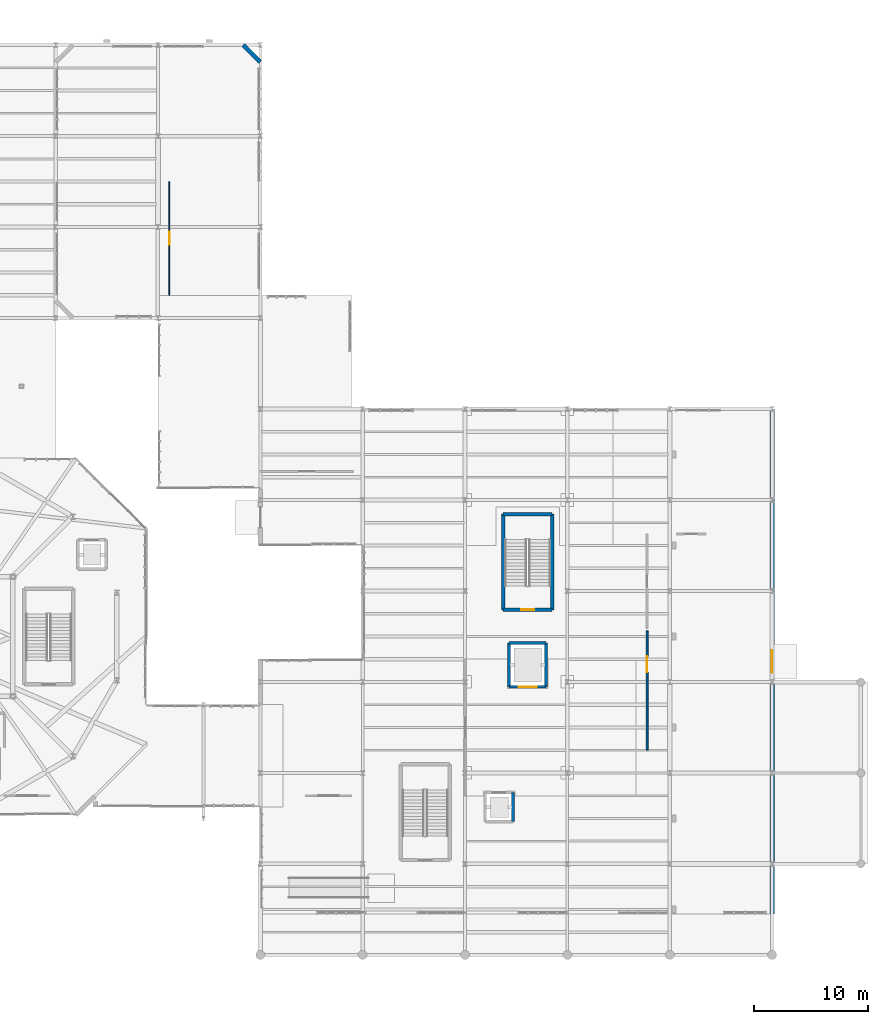
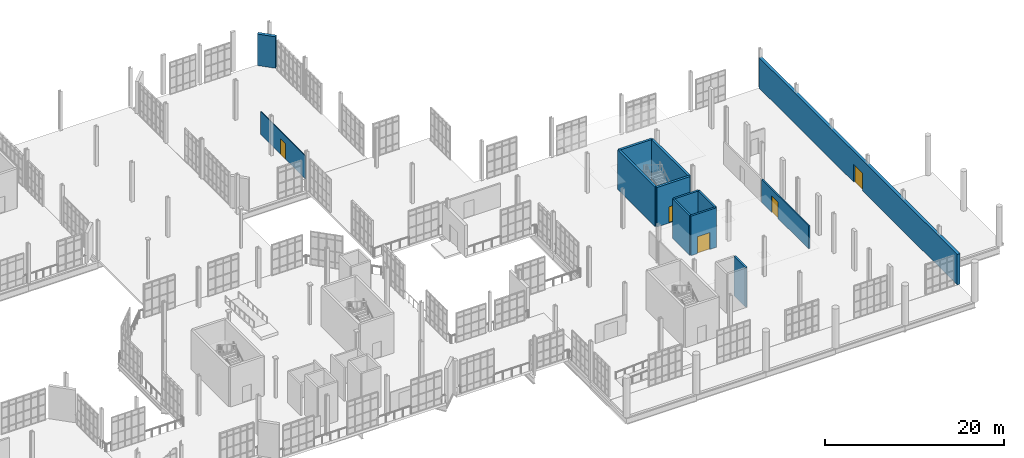
# One storey, part 176 of 189: 13 walls, 5 doors, 5 openings.
"""IFC4 building model written with IfcOpenShell, lengths in metres."""

from ifc_helpers import new_model, si_unit, direction, frame, frame_2d, origin, place, context, subcontext, project, spatial, rectangle, extrude, material, layer, layer_set, type_object, element, fill, save


model = new_model("IFC4")

# Units and contexts
model_context = context("Model", 3, precision=1e-05, world=origin(), true_north=direction((0.0, 1.0)))
body_context = subcontext(model_context, "Body", "Model", "MODEL_VIEW")
ifc_project = project(units=[si_unit("LENGTHUNIT", "METRE"), si_unit("AREAUNIT", "SQUARE_METRE"), si_unit("VOLUMEUNIT", "CUBIC_METRE"), si_unit("PLANEANGLEUNIT", "RADIAN"), si_unit("MASSUNIT", "GRAM", prefix="KILO"), si_unit("THERMODYNAMICTEMPERATUREUNIT", "KELVIN"), si_unit("POWERUNIT", "WATT")], contexts=[model_context])

# Site, building, storey
site_placement = place(None, origin())
site = spatial("IfcSite", under=ifc_project, at=site_placement, CompositionType="ELEMENT")
building_placement = place(site_placement, origin())
building = spatial("IfcBuilding", under=site, at=building_placement, Name="Zelmaris Science Centre", CompositionType="ELEMENT")
storey_placement = place(building_placement, origin())
storey = spatial("IfcBuildingStorey", under=building, at=storey_placement, Name="L00", CompositionType="ELEMENT", Elevation=0.0)

# Wall, opening, door
ifc_material_1 = material(Name="Concrete C40/50", Category="concrete")
ifc_layer_1 = layer(ifc_material_1, 0.300048828125, Name="Concrete C40/50")
ifc_layer_set_1 = layer_set([ifc_layer_1], Name="Concrete C40/50")
wall_type_1 = type_object("IfcWallType", Name="Core Shear Wall CW-S1 300mm", PredefinedType="SOLIDWALL", material=ifc_layer_set_1)
wall_1_placement = place(storey_placement, frame((133.64990234375, 38.35009765625, 0.0), z_axis=(0.0, 0.0, 1.0), x_axis=(-1.0, 0.0, 0.0)))
wall_1 = element("IfcWall", 1, at=wall_1_placement, inside=storey, type_object=wall_type_1, Name="L00 ST-5 core shear wall near", PredefinedType="SOLIDWALL", context=body_context, shape_type="SweptSolid", body=[
    extrude(rectangle(XDim=4.2998046875, YDim=0.300048828125, at=frame_2d((2.14990234375, 0.0))), origin(), (0.0, 0.0, 1.0), 5.39990234375),
])
opening_1_placement = place(wall_1_placement, frame((1.574951171875, 0.0, 0.0)))
opening_1 = element("IfcOpeningElement", 2, at=opening_1_placement, cuts=wall_1, Name="Opening D-FD90", PredefinedType="OPENING", context=body_context, shape_type="SweptSolid", body=[
    extrude(rectangle(XDim=1.14990234375, YDim=2.199951171875, at=frame_2d((0.574951171875, 1.10009765625))), frame((0.0, 0.159912109375, 0.0), z_axis=(0.0, -1.0, 0.0), x_axis=(1.0, 0.0, 0.0)), (0.0, 0.0, 1.0), 0.320068359375),
])
ifc_material_2 = material(Name="Steel ASTM A36", Category="steel")
door_type_1 = type_object("IfcDoorType", Name="Interior Door D-FD90 1150x2200", OperationType="NOTDEFINED", PredefinedType="DOOR", material=ifc_material_2)
door_1_placement = place(opening_1_placement, origin())
door_1 = element("IfcDoor", 3, at=door_1_placement, inside=storey, type_object=door_type_1, Name="L00 ST-5 exit stair fire door", OperationType="SINGLE_SWING_RIGHT", OverallHeight=2.199951171875, OverallWidth=1.14990234375, PredefinedType="DOOR", context=body_context, shape_type="SweptSolid", body=[
    extrude(rectangle(XDim=1.14990234375, YDim=2.199951171875, at=frame_2d((0.574951171875, 1.10009765625))), frame((0.0, 0.02490234375, 0.0), z_axis=(0.0, -1.0, 0.0), x_axis=(1.0, 0.0, 0.0)), (0.0, 0.0, 1.0), 0.050048828125),
])
fill(opening_1, door_1)

# Walls
wall_2_placement = place(storey_placement, frame((133.64990234375, 38.35009765625, 0.0), z_axis=(0.0, 0.0, 1.0), x_axis=(0.0, 1.0, 0.0)))
element("IfcWall", 4, at=wall_2_placement, inside=storey, type_object=wall_type_1, Name="L00 ST-5 core shear wall east", PredefinedType="SOLIDWALL", context=body_context, shape_type="SweptSolid", body=[
    extrude(rectangle(XDim=8.39990234375, YDim=0.300048828125, at=frame_2d((4.199951171875, 0.0))), origin(), (0.0, 0.0, 1.0), 5.39990234375),
])
wall_3_placement = place(storey_placement, frame((133.64990234375, 46.75, 0.0), z_axis=(0.0, 0.0, 1.0), x_axis=(-1.0, 0.0, 0.0)))
element("IfcWall", 5, at=wall_3_placement, inside=storey, type_object=wall_type_1, Name="L00 ST-5 core shear wall far", PredefinedType="SOLIDWALL", context=body_context, shape_type="SweptSolid", body=[
    extrude(rectangle(XDim=4.2998046875, YDim=0.300048828125, at=frame_2d((2.14990234375, 0.0))), origin(), (0.0, 0.0, 1.0), 5.39990234375),
])
wall_4_placement = place(storey_placement, frame((129.35009765625, 38.35009765625, 0.0), z_axis=(0.0, 0.0, 1.0), x_axis=(0.0, 1.0, 0.0)))
element("IfcWall", 6, at=wall_4_placement, inside=storey, type_object=wall_type_1, Name="L00 ST-5 core shear wall west", PredefinedType="SOLIDWALL", context=body_context, shape_type="SweptSolid", body=[
    extrude(rectangle(XDim=8.39990234375, YDim=0.300048828125, at=frame_2d((4.199951171875, 0.0))), origin(), (0.0, 0.0, 1.0), 5.39990234375),
])
ifc_layer_2 = layer(ifc_material_1, 0.25, Name="Concrete C40/50")
ifc_layer_set_2 = layer_set([ifc_layer_2], Name="Concrete C40/50")
wall_type_2 = type_object("IfcWallType", Name="Core Shear Wall CW-S2 250mm", PredefinedType="SOLIDWALL", material=ifc_layer_set_2)
wall_5_placement = place(storey_placement, frame((130.22509765625, 19.72509765625, 0.0), z_axis=(0.0, 0.0, 1.0), x_axis=(0.0, 1.0, 0.0)))
element("IfcWall", 7, at=wall_5_placement, inside=storey, type_object=wall_type_2, Name="L00 LP-02 lift shaft wall +x", PredefinedType="SOLIDWALL", context=body_context, shape_type="SweptSolid", body=[
    extrude(rectangle(XDim=2.5498046875, YDim=0.25, at=frame_2d((1.27490234375, 0.0))), origin(), (0.0, 0.0, 1.0), 5.39990234375),
])

# Wall, opening, door
wall_6_placement = place(storey_placement, frame((129.875, 31.574951171875, 0.0), z_axis=(0.0, 0.0, 1.0), x_axis=(1.0, 0.0, 0.0)))
wall_6 = element("IfcWall", 8, at=wall_6_placement, inside=storey, type_object=wall_type_2, Name="L00 GL-01 lift shaft wall -y", PredefinedType="SOLIDWALL", context=body_context, shape_type="SweptSolid", body=[
    extrude(rectangle(XDim=3.25, YDim=0.25, at=frame_2d((1.625, 0.0))), origin(), (0.0, 0.0, 1.0), 5.39990234375),
])
opening_2_placement = place(wall_6_placement, frame((0.824951171875, 0.0, 0.0)))
opening_2 = element("IfcOpeningElement", 9, at=opening_2_placement, cuts=wall_6, Name="Opening LD-02", PredefinedType="OPENING", context=body_context, shape_type="SweptSolid", body=[
    extrude(rectangle(XDim=1.60009765625, YDim=2.300048828125, at=frame_2d((0.800048828125, 1.14990234375))), frame((0.0, 0.135009765625, 0.0), z_axis=(0.0, -1.0, 0.0), x_axis=(1.0, 0.0, 0.0)), (0.0, 0.0, 1.0), 0.27001953125),
])
door_type_2 = type_object("IfcDoorType", Name="Interior Door LD-02 1600x2300", OperationType="SLIDING_TO_LEFT", PredefinedType="DOOR", material=ifc_material_2)
door_2_placement = place(opening_2_placement, origin())
door_2 = element("IfcDoor", 10, at=door_2_placement, inside=storey, type_object=door_type_2, Name="Landing door LD-GL-01-L00", OperationType="SLIDING_TO_LEFT", OverallHeight=2.300048828125, OverallWidth=1.60009765625, PredefinedType="DOOR", context=body_context, shape_type="SweptSolid", body=[
    extrude(rectangle(XDim=1.60009765625, YDim=2.300048828125, at=frame_2d((0.800048828125, 1.14990234375))), frame((0.0, 0.02490234375, 0.0), z_axis=(0.0, -1.0, 0.0), x_axis=(1.0, 0.0, 0.0)), (0.0, 0.0, 1.0), 0.050048828125),
])
fill(opening_2, door_2)

# Walls
wall_7_placement = place(storey_placement, frame((133.125, 31.574951171875, 0.0), z_axis=(0.0, 0.0, 1.0), x_axis=(0.0, 1.0, 0.0)))
element("IfcWall", 11, at=wall_7_placement, inside=storey, type_object=wall_type_2, Name="L00 GL-01 lift shaft wall +x", PredefinedType="SOLIDWALL", context=body_context, shape_type="SweptSolid", body=[
    extrude(rectangle(XDim=3.85009765625, YDim=0.25, at=frame_2d((1.925048828125, 0.0))), origin(), (0.0, 0.0, 1.0), 5.39990234375),
])
wall_8_placement = place(storey_placement, frame((133.125, 35.425048828125, 0.0), z_axis=(0.0, 0.0, 1.0), x_axis=(-1.0, 0.0, 0.0)))
element("IfcWall", 12, at=wall_8_placement, inside=storey, type_object=wall_type_2, Name="L00 GL-01 lift shaft wall +y", PredefinedType="SOLIDWALL", context=body_context, shape_type="SweptSolid", body=[
    extrude(rectangle(XDim=3.25, YDim=0.25, at=frame_2d((1.625, 0.0))), origin(), (0.0, 0.0, 1.0), 5.39990234375),
])
wall_9_placement = place(storey_placement, frame((129.875, 35.425048828125, 0.0), z_axis=(0.0, 0.0, 1.0), x_axis=(0.0, -1.0, 0.0)))
element("IfcWall", 13, at=wall_9_placement, inside=storey, type_object=wall_type_2, Name="L00 GL-01 lift shaft wall -x", PredefinedType="SOLIDWALL", context=body_context, shape_type="SweptSolid", body=[
    extrude(rectangle(XDim=3.85009765625, YDim=0.25, at=frame_2d((1.925048828125, 0.0))), origin(), (0.0, 0.0, 1.0), 5.39990234375),
])
ifc_material_3 = material(Name="Yucatan limestone ashlar masonry", Category="masonry")
ifc_layer_3 = layer(ifc_material_3, 0.3798828125, Name="Yucatan limestone ashlar masonry")
ifc_layer_set_3 = layer_set([ifc_layer_3], Name="Yucatan limestone ashlar masonry")
wall_type_3 = type_object("IfcWallType", Name="Exterior Wall EW-01 380mm", PredefinedType="SOLIDWALL", material=ifc_layer_set_3)
wall_10_placement = place(storey_placement, frame((106.5, 88.0, 0.0), z_axis=(0.0, 0.0, 1.0), x_axis=(0.707106781187, -0.707106781187, 0.0)))
element("IfcWall", 14, at=wall_10_placement, inside=storey, type_object=wall_type_3, Name="L00 Exterior wall 20", PredefinedType="SOLIDWALL", context=body_context, shape_type="SweptSolid", body=[
    extrude(rectangle(XDim=2.121337890625, YDim=0.3798828125, at=frame_2d((1.060546875, 0.0))), origin(), (0.0, 0.0, 1.0), 4.304931640625),
])

# Wall, opening, door
wall_11_placement = place(storey_placement, frame((153.0, 56.0, 0.0), z_axis=(0.0, 0.0, 1.0), x_axis=(0.0, -1.0, 0.0)))
wall_11 = element("IfcWall", 15, at=wall_11_placement, inside=storey, type_object=wall_type_3, Name="L00 Exterior wall 21", PredefinedType="SOLIDWALL", context=body_context, shape_type="SweptSolid", body=[
    extrude(rectangle(XDim=44.39990234375, YDim=0.3798828125, at=frame_2d((22.199951171875, 0.0))), origin(), (0.0, 0.0, 1.0), 4.166015625),
])
opening_3_placement = place(wall_11_placement, frame((21.199951171875, 0.0, 0.0)))
opening_3 = element("IfcOpeningElement", 16, at=opening_3_placement, cuts=wall_11, Name="Opening D-EX2", PredefinedType="OPENING", context=body_context, shape_type="SweptSolid", body=[
    extrude(rectangle(XDim=2.0, YDim=2.39990234375, at=frame_2d((1.0, 1.199951171875))), frame((0.0, 0.199951171875, 0.0), z_axis=(0.0, -1.0, 0.0), x_axis=(1.0, 0.0, 0.0)), (0.0, 0.0, 1.0), 0.39990234375),
])
ifc_material_4 = material(Name="Architectural bronze alloy C28000")
door_type_3 = type_object("IfcDoorType", Name="Exterior Door D-EX2 2000x2400", OperationType="NOTDEFINED", PredefinedType="DOOR", material=ifc_material_4)
door_3_placement = place(opening_3_placement, origin())
door_3 = element("IfcDoor", 17, at=door_3_placement, inside=storey, type_object=door_type_3, Name="Main entrance exit E08", OperationType="SINGLE_SWING_RIGHT", OverallHeight=2.39990234375, OverallWidth=2.0, PredefinedType="DOOR", context=body_context, shape_type="SweptSolid", body=[
    extrude(rectangle(XDim=2.0, YDim=2.39990234375, at=frame_2d((1.0, 1.199951171875))), frame((0.0, 0.02490234375, 0.0), z_axis=(0.0, -1.0, 0.0), x_axis=(1.0, 0.0, 0.0)), (0.0, 0.0, 1.0), 0.050048828125),
])
fill(opening_3, door_3)

ifc_material_5 = material(Name="Fire-rated gypsum board on steel studs", Category="steel")
ifc_layer_4 = layer(ifc_material_5, 0.10009765625, Name="Fire-rated gypsum board on steel studs")
ifc_layer_set_4 = layer_set([ifc_layer_4], Name="Fire-rated gypsum board on steel studs")
wall_type_4 = type_object("IfcWallType", Name="Interior Wall PT-05 100mm", PredefinedType="PARTITIONING", material=ifc_layer_set_4)
wall_12_placement = place(storey_placement, frame((100.0048828125, 66.0048828125, 0.0), z_axis=(0.0, 0.0, 1.0), x_axis=(0.0, 1.0, 0.0)))
wall_12 = element("IfcWall", 18, at=wall_12_placement, inside=storey, type_object=wall_type_4, Name="L00 Science Reference Reading Room partition 38", PredefinedType="PARTITIONING", context=body_context, shape_type="SweptSolid", body=[
    extrude(rectangle(XDim=9.9951171875, YDim=0.10009765625, at=frame_2d((4.99755859375, 0.0))), origin(), (0.0, 0.0, 1.0), 3.14990234375),
])
opening_4_placement = place(wall_12_placement, frame((4.422607421875, 0.0, 0.0)))
opening_4 = element("IfcOpeningElement", 19, at=opening_4_placement, cuts=wall_12, Name="Opening D-IN12", PredefinedType="OPENING", context=body_context, shape_type="SweptSolid", body=[
    extrude(rectangle(XDim=1.14990234375, YDim=2.14990234375, at=frame_2d((0.574951171875, 1.074951171875))), frame((0.0, 0.06005859375, 0.0), z_axis=(0.0, -1.0, 0.0), x_axis=(1.0, 0.0, 0.0)), (0.0, 0.0, 1.0), 0.1201171875),
])
ifc_material_6 = material(Name="Solid tropical tzalam hardwood", Category="wood")
door_type_4 = type_object("IfcDoorType", Name="Interior Door D-IN12 1150x2150", OperationType="NOTDEFINED", PredefinedType="DOOR", material=ifc_material_6)
door_4_placement = place(opening_4_placement, origin())
door_4 = element("IfcDoor", 20, at=door_4_placement, inside=storey, type_object=door_type_4, Name="L00 Science Reference Reading Room door", OperationType="SINGLE_SWING_RIGHT", OverallHeight=2.14990234375, OverallWidth=1.14990234375, PredefinedType="DOOR", context=body_context, shape_type="SweptSolid", body=[
    extrude(rectangle(XDim=1.14990234375, YDim=2.14990234375, at=frame_2d((0.574951171875, 1.074951171875))), frame((0.0, 0.02490234375, 0.0), z_axis=(0.0, -1.0, 0.0), x_axis=(1.0, 0.0, 0.0)), (0.0, 0.0, 1.0), 0.050048828125),
])
fill(opening_4, door_4)

ifc_material_7 = material(Name="Autoclaved aerated concrete blockwork", Category="masonry")
ifc_layer_5 = layer(ifc_material_7, 0.169921875, Name="Autoclaved aerated concrete blockwork")
ifc_layer_set_5 = layer_set([ifc_layer_5], Name="Autoclaved aerated concrete blockwork")
wall_type_5 = type_object("IfcWallType", Name="Interior Wall PT-09 170mm", PredefinedType="PARTITIONING", material=ifc_layer_set_5)
wall_13_placement = place(storey_placement, frame((142.0, 26.0048828125, 0.0), z_axis=(0.0, 0.0, 1.0), x_axis=(0.000465246065, 0.999999891773, 0.0)))
wall_13 = element("IfcWall", 21, at=wall_13_placement, inside=storey, type_object=wall_type_5, Name="L00 Loading Bay and Exhibit Receiving partition 36", PredefinedType="PARTITIONING", context=body_context, shape_type="SweptSolid", body=[
    extrude(rectangle(XDim=10.4951171875, YDim=0.169921875, at=frame_2d((5.24755859375, 0.0))), origin(), (0.0, 0.0, 1.0), 3.14990234375),
])
opening_5_placement = place(wall_13_placement, frame((6.8564453125, 0.0, 0.0)))
opening_5 = element("IfcOpeningElement", 22, at=opening_5_placement, cuts=wall_13, Name="Opening D-IN9", PredefinedType="OPENING", context=body_context, shape_type="SweptSolid", body=[
    extrude(rectangle(XDim=1.39990234375, YDim=2.25, at=frame_2d((0.699951171875, 1.125))), frame((0.0, 0.094970703125, 0.0), z_axis=(0.0, -1.0, 0.0), x_axis=(1.0, 0.0, 0.0)), (0.0, 0.0, 1.0), 0.18994140625),
])
door_type_5 = type_object("IfcDoorType", Name="Interior Door D-IN9 1400x2250", OperationType="NOTDEFINED", PredefinedType="DOOR", material=ifc_material_2)
door_5_placement = place(opening_5_placement, origin())
door_5 = element("IfcDoor", 23, at=door_5_placement, inside=storey, type_object=door_type_5, Name="L00 Loading Bay and Exhibit Receiving door", OperationType="SINGLE_SWING_LEFT", OverallHeight=2.25, OverallWidth=1.39990234375, PredefinedType="DOOR", context=body_context, shape_type="SweptSolid", body=[
    extrude(rectangle(XDim=1.39990234375, YDim=2.25, at=frame_2d((0.699951171875, 1.125))), frame((0.0, 0.02490234375, 0.0), z_axis=(0.0, -1.0, 0.0), x_axis=(1.0, 0.0, 0.0)), (0.0, 0.0, 1.0), 0.050048828125),
])
fill(opening_5, door_5)

save(model, "model.ifc")
